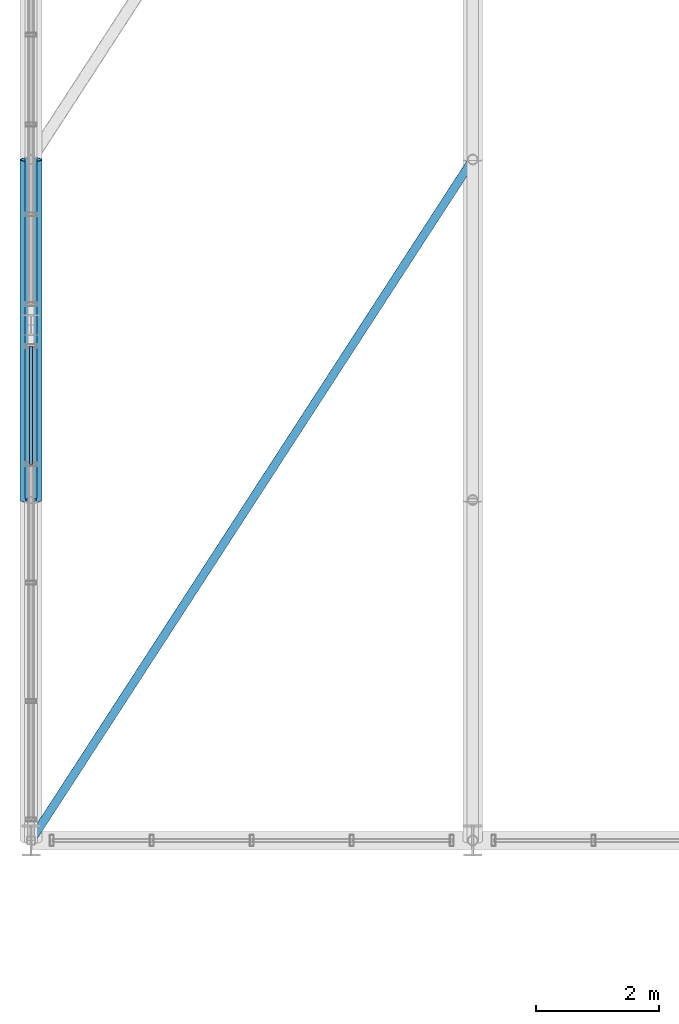
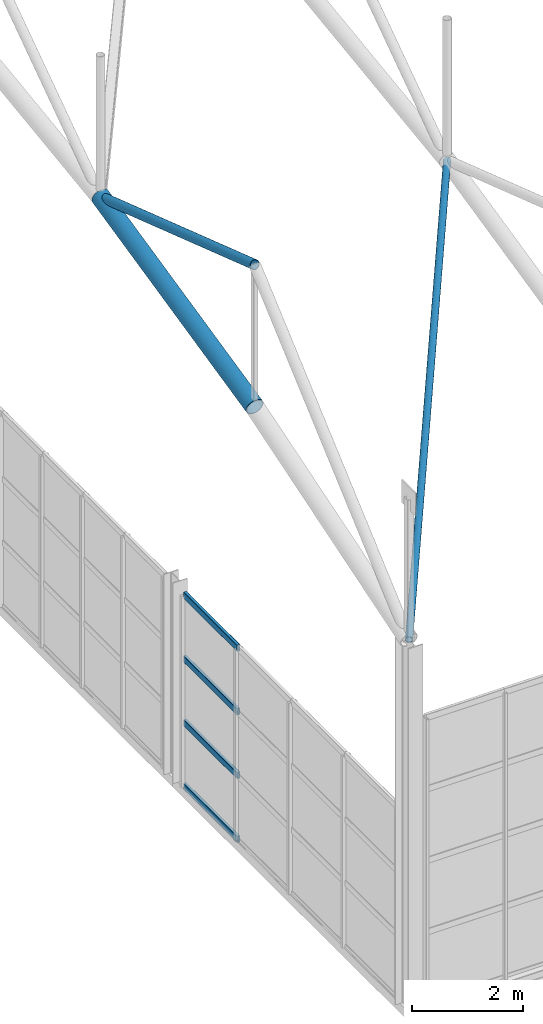
# One storey, part 20 of 153: 7 members, 1 element without a shape of its own.
"""IFC4 building model written with IfcOpenShell, lengths in metres."""

from ifc_helpers import new_model, si_unit, derived_unit, direction, frame, origin, origin_2d, place, context, subcontext, project, spatial, hollow_rectangle, hollow_circle, extrude, material, material_profile, profile_set, type_object, element, aggregate, save


model = new_model("IFC4")

# Units and contexts
model_context = context("Model", 3, precision=1e-05, world=origin(), true_north=direction((0.0, 1.0)))
body_context = subcontext(model_context, "Body", "Model", "MODEL_VIEW")
ifc_project = project(units=[si_unit("LENGTHUNIT", "METRE"), si_unit("AREAUNIT", "SQUARE_METRE"), si_unit("VOLUMEUNIT", "CUBIC_METRE"), si_unit("PLANEANGLEUNIT", "RADIAN"), si_unit("MASSUNIT", "GRAM", prefix="KILO"), derived_unit("THERMALTRANSMITTANCEUNIT", [(si_unit("POWERUNIT", "WATT"), 1), (si_unit("LENGTHUNIT", "METRE"), -2), (si_unit("THERMODYNAMICTEMPERATUREUNIT", "KELVIN"), -1)])], contexts=[model_context])

# Site, building, storey
site_placement = place(None, origin())
site = spatial("IfcSite", under=ifc_project, at=site_placement, CompositionType="ELEMENT")
building_placement = place(site_placement, origin())
building = spatial("IfcBuilding", under=site, at=building_placement, Name="Keldorne Ridge Multi-Sports Centre", CompositionType="ELEMENT")
storey_placement = place(building_placement, frame((0.0, 0.0, 9.60009765625)))
storey = spatial("IfcBuildingStorey", under=building, at=storey_placement, Name="L02", CompositionType="ELEMENT", Elevation=9.60009765625)

# Members
ifc_material_1 = material(Name="Steel S355", Category="steel")
ifc_material_profile_1 = material_profile(ifc_material_1, hollow_circle(Radius=0.177734375, WallThickness=0.01611328125, at=origin_2d()), Name="CHS 355.6x16")
ifc_profile_set_1 = profile_set([ifc_material_profile_1], Name="Steel S355")
member_type_1 = type_object("IfcMemberType", Name="MEM-TC-01", PredefinedType="CHORD", material=ifc_profile_set_1)
member_1_placement = place(storey_placement, frame((6.0, 15.14990234375, 9.849853515625), z_axis=(0.0, 0.975563092904, 0.219719484259), x_axis=(-1.0, 0.0, 0.0)))
element("IfcMember", 1, at=member_1_placement, inside=storey, type_object=member_type_1, Name="Main Hall ROOF TRUSS AT-01 bottom chord 2", PredefinedType="CHORD", context=body_context, shape_type="SweptSolid", body=[
    extrude(hollow_circle(Radius=0.177734375, WallThickness=0.01611328125, at=origin_2d()), origin(), (0.0, 0.0, 1.0), 5.68896484375),
])
ifc_material_profile_2 = material_profile(ifc_material_1, hollow_circle(Radius=0.096923828125, WallThickness=0.010009765625, at=origin_2d()), Name="CHS 193.7x10")
ifc_profile_set_2 = profile_set([ifc_material_profile_2], Name="Steel S355")
member_type_2 = type_object("IfcMemberType", Name="MEM-TD-01", PredefinedType="BRACE", material=ifc_profile_set_2)
member_2_placement = place(storey_placement, frame((6.0, 15.14990234375, 12.969970703125), z_axis=(0.0, 0.94764862416, -0.319315024901), x_axis=(-1.0, 0.0, 0.0)))
element("IfcMember", 2, at=member_2_placement, inside=storey, type_object=member_type_2, Name="Main Hall ROOF TRUSS AT-01 diagonal 2", PredefinedType="BRACE", context=body_context, shape_type="SweptSolid", body=[
    extrude(hollow_circle(Radius=0.096923828125, WallThickness=0.010009765625, at=origin_2d()), origin(), (0.0, 0.0, 1.0), 5.856689453125),
])

# Curtain wall, members
ifc_material_2 = material(Name="Anodized aluminium", Category="aluminium")
curtain_wall_type = type_object("IfcCurtainWallType", Name="CW-CW-05", PredefinedType="NOTDEFINED", material=ifc_material_2)
curtain_wall_placement = place(storey_placement, origin())
curtain_wall = element("IfcCurtainWall", 3, at=curtain_wall_placement, inside=storey, type_object=curtain_wall_type, Name="Main Hall west high gable glazing 029", PredefinedType="NOTDEFINED")
ifc_material_profile_3 = material_profile(ifc_material_2, hollow_rectangle(XDim=0.06494140625, YDim=0.139892578125, WallThickness=0.00439453125, InnerFilletRadius=0.00439453125, OuterFilletRadius=0.009033203125, at=origin_2d()), Name="ALU TRANSOM 140x65x4.5")
ifc_profile_set_3 = profile_set([ifc_material_profile_3], Name="Anodized aluminium")
member_type_3 = type_object("IfcMemberType", Name="MEM-TR-01", PredefinedType="USERDEFINED", material=ifc_profile_set_3)
member_3_placement = place(storey_placement, frame((6.0, 17.659912109375, 0.0), z_axis=(0.0, -1.0, 0.0), x_axis=(1.0, 0.0, 0.0)))
member_3 = element("IfcMember", 4, at=member_3_placement, type_object=member_type_3, Name="CW-029 transom 1.1", ObjectType="TRANSOM", PredefinedType="USERDEFINED", context=body_context, shape_type="SweptSolid", body=[
    extrude(hollow_rectangle(XDim=0.06494140625, YDim=0.139892578125, WallThickness=0.00439453125, InnerFilletRadius=0.00439453125, OuterFilletRadius=0.009033203125, at=origin_2d()), origin(), (0.0, 0.0, 1.0), 1.929931640625),
])
member_4_placement = place(storey_placement, frame((6.0, 17.659912109375, 1.39990234375), z_axis=(0.0, -1.0, 0.0), x_axis=(1.0, 0.0, 0.0)))
member_4 = element("IfcMember", 5, at=member_4_placement, type_object=member_type_3, Name="CW-029 transom 1.2", ObjectType="TRANSOM", PredefinedType="USERDEFINED", context=body_context, shape_type="SweptSolid", body=[
    extrude(hollow_rectangle(XDim=0.06494140625, YDim=0.139892578125, WallThickness=0.00439453125, InnerFilletRadius=0.00439453125, OuterFilletRadius=0.009033203125, at=origin_2d()), origin(), (0.0, 0.0, 1.0), 1.929931640625),
])
member_5_placement = place(storey_placement, frame((6.0, 17.659912109375, 2.7998046875), z_axis=(0.0, -1.0, 0.0), x_axis=(1.0, 0.0, 0.0)))
member_5 = element("IfcMember", 6, at=member_5_placement, type_object=member_type_3, Name="CW-029 transom 1.3", ObjectType="TRANSOM", PredefinedType="USERDEFINED", context=body_context, shape_type="SweptSolid", body=[
    extrude(hollow_rectangle(XDim=0.06494140625, YDim=0.139892578125, WallThickness=0.00439453125, InnerFilletRadius=0.00439453125, OuterFilletRadius=0.009033203125, at=origin_2d()), origin(), (0.0, 0.0, 1.0), 1.929931640625),
])
member_6_placement = place(storey_placement, frame((6.0, 17.659912109375, 4.199951171875), z_axis=(0.0, -1.0, 0.0), x_axis=(1.0, 0.0, 0.0)))
member_6 = element("IfcMember", 7, at=member_6_placement, type_object=member_type_3, Name="CW-029 transom 1.4", ObjectType="TRANSOM", PredefinedType="USERDEFINED", context=body_context, shape_type="SweptSolid", body=[
    extrude(hollow_rectangle(XDim=0.06494140625, YDim=0.139892578125, WallThickness=0.00439453125, InnerFilletRadius=0.00439453125, OuterFilletRadius=0.009033203125, at=origin_2d()), origin(), (0.0, 0.0, 1.0), 1.929931640625),
])
aggregate(curtain_wall, [member_3, member_4, member_5, member_6])

# Member
ifc_material_profile_4 = material_profile(ifc_material_1, hollow_circle(Radius=0.06982421875, WallThickness=0.008056640625, at=origin_2d()), Name="CHS 139.7x8")
ifc_profile_set_4 = profile_set([ifc_material_profile_4], Name="Steel S355")
member_type_4 = type_object("IfcMemberType", Name="MEM-WB-04", PredefinedType="BRACE", material=ifc_profile_set_4)
member_7_placement = place(storey_placement, frame((6.0, 9.60009765625, 8.099853515625), z_axis=(0.541664409365, 0.835060607364, 0.096298752104), x_axis=(-0.838959693152, 0.544193562317, 0.0)))
element("IfcMember", 8, at=member_7_placement, inside=storey, type_object=member_type_4, Name="Main Hall wind girder brace 1.1", PredefinedType="BRACE", context=body_context, shape_type="SweptSolid", body=[
    extrude(hollow_circle(Radius=0.06982421875, WallThickness=0.008056640625, at=origin_2d()), origin(), (0.0, 0.0, 1.0), 13.292236328125),
])

save(model, "model.ifc")
